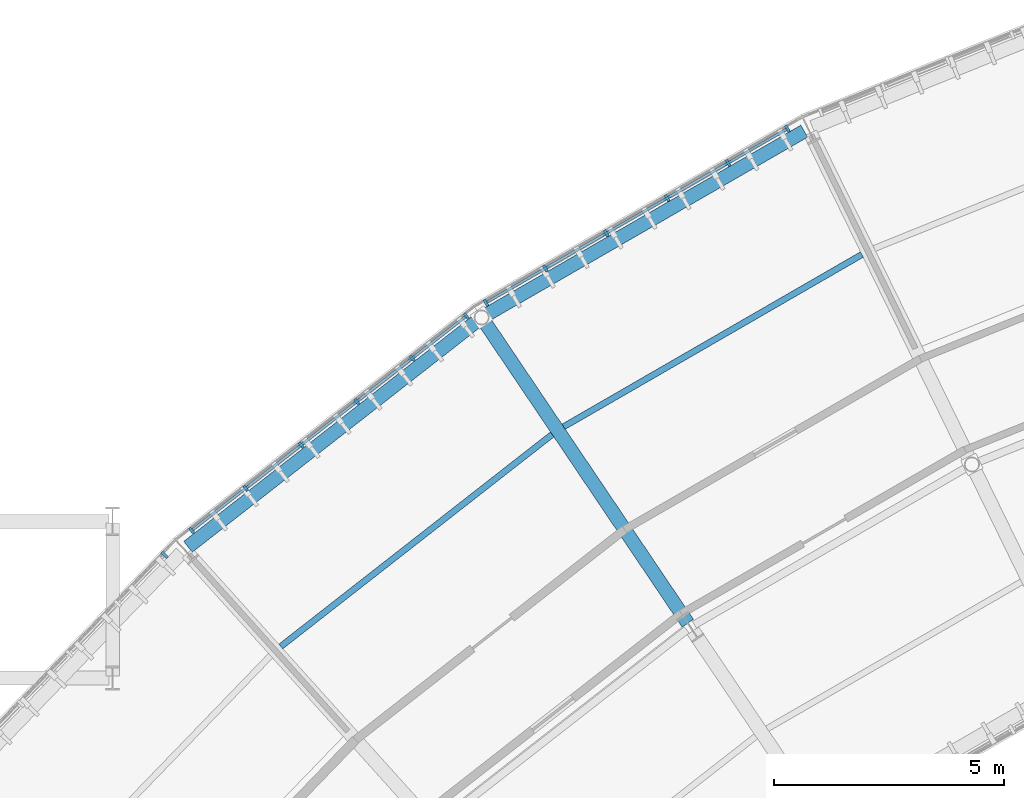
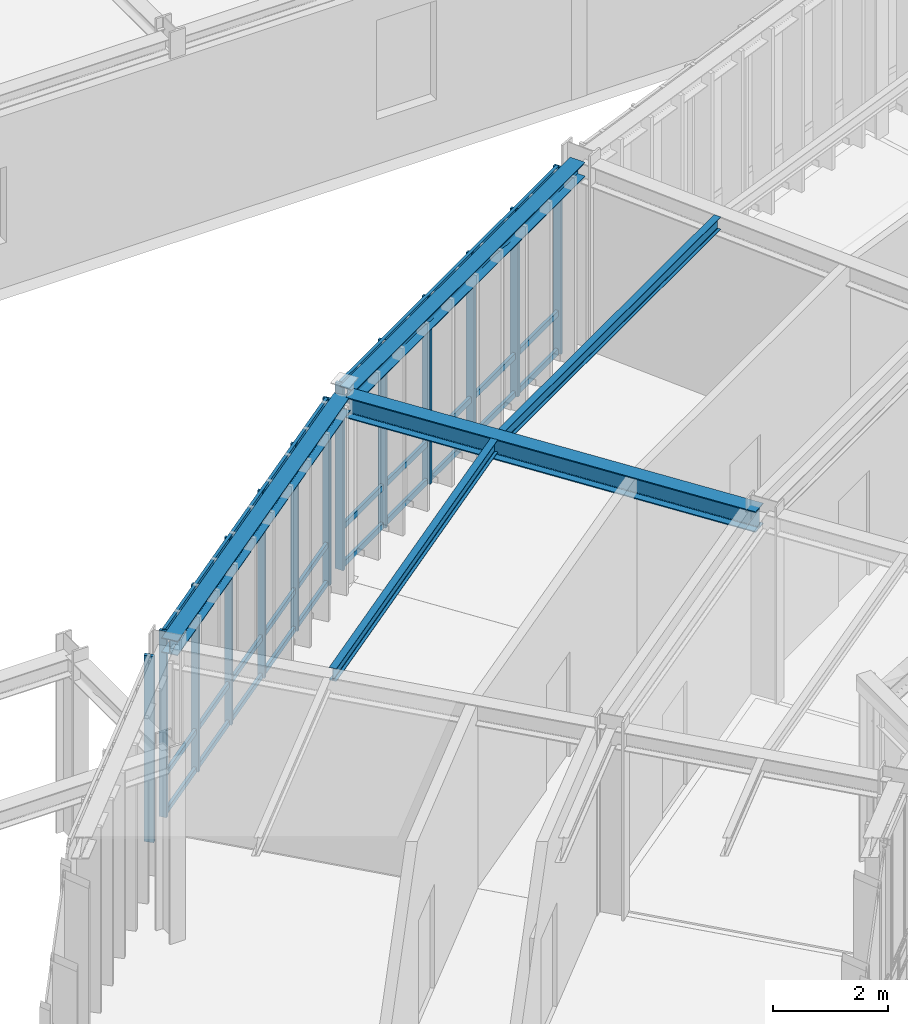
# One storey, part 85 of 148: 19 members, 5 beams, 3 elements without a shape of their own.
"""IFC4 building model written with IfcOpenShell, lengths in metres."""

import ifcopenshell
import ifcopenshell.guid

model = None  # the IFC model being written
_history = None  # IfcOwnerHistory: only IFC2X3 demands one
_inside = {}  # id of a spatial element -> (the spatial element, [elements in it])
_under = {}  # id of a project, library or spatial element -> (it, [spatial elements below it])
_declared = {}  # id of a project -> (the project, [libraries it declares])
_typed = {}  # id of a type object -> (the type object, [elements of that type])
_made_of = {}  # id of a material, layer set ... -> (it, [elements and type objects made of it])


def new_model(schema):
    """Start an empty IFC model of exactly this schema.

    Asked for "IFC4X3", IfcOpenShell would pick the latest addendum, in which some entities
    have other attributes; the version numbers below select the first issue.
    IFC2X3 requires an IfcOwnerHistory on every rooted entity: one is made here for all.
    """
    global model, _history
    if schema == "IFC4X3":
        model = ifcopenshell.file(schema_version=(4, 3, 0, 0))
    else:
        model = ifcopenshell.file(schema=schema)
    _inside.clear()
    _under.clear()
    _declared.clear()
    _typed.clear()
    _made_of.clear()
    _history = None
    if model.schema == "IFC2X3":
        org = make("IfcOrganization", Name="unknown")
        user = make(
            "IfcPersonAndOrganization",
            ThePerson=make("IfcPerson", FamilyName="unknown"),
            TheOrganization=org,
        )
        app = make(
            "IfcApplication",
            ApplicationDeveloper=org,
            Version="unknown",
            ApplicationFullName="unknown",
            ApplicationIdentifier="unknown",
        )
        _history = make(
            "IfcOwnerHistory",
            OwningUser=user,
            OwningApplication=app,
            ChangeAction="ADDED",
            CreationDate=0,
        )
    return model


def make(cls, **values):
    """One entity of the class cls with the attributes given. An attribute that is None is left unset."""
    return model.create_entity(
        cls, **{name: value for name, value in values.items() if value is not None}
    )


def rooted(cls, **values):
    """An entity with a GlobalId (a new one), such as an element, a storey or a relation."""
    return make(cls, GlobalId=ifcopenshell.guid.new(), OwnerHistory=_history, **values)


def si_unit(unit_type, name, prefix=None):
    """IfcSIUnit, for example si_unit("LENGTHUNIT", "METRE", prefix="MILLI")."""
    return make("IfcSIUnit", UnitType=unit_type, Prefix=prefix, Name=name)


def assignment(units):
    """IfcUnitAssignment: the units of a project."""
    return None if units is None else make("IfcUnitAssignment", Units=units)


def point(xyz):
    """IfcCartesianPoint."""
    return None if xyz is None else make("IfcCartesianPoint", Coordinates=xyz)


def direction(xyz):
    """IfcDirection."""
    return None if xyz is None else make("IfcDirection", DirectionRatios=xyz)


def frame(location, z_axis=None, x_axis=None):
    """IfcAxis2Placement3D, a coordinate frame: its origin and axes. An axis left out is left unset."""
    return make(
        "IfcAxis2Placement3D",
        Location=point(location),
        Axis=direction(z_axis),
        RefDirection=direction(x_axis),
    )


def frame_2d(location, x_axis=None):
    """IfcAxis2Placement2D, a coordinate frame in the plane: its origin and x axis."""
    return make(
        "IfcAxis2Placement2D", Location=point(location), RefDirection=direction(x_axis)
    )


def origin():
    """The frame at (0, 0, 0) with its axes left unset."""
    return frame((0.0, 0.0, 0.0))


def origin_2d():
    """The frame at (0, 0) in the plane with its x axis left unset."""
    return frame_2d((0.0, 0.0))


def place(relative_to, where):
    """IfcLocalPlacement: puts the frame where relative to a parent placement (None: the world)."""
    return make(
        "IfcLocalPlacement", PlacementRelTo=relative_to, RelativePlacement=where
    )


def context(
    kind, dimensions, precision=None, world=None, true_north=None, identifier=None
):
    """IfcGeometricRepresentationContext, for example the 3D "Model" context."""
    return make(
        "IfcGeometricRepresentationContext",
        ContextIdentifier=identifier,
        ContextType=kind,
        CoordinateSpaceDimension=dimensions,
        Precision=precision,
        WorldCoordinateSystem=world,
        TrueNorth=true_north,
    )


def subcontext(parent, identifier, kind, view, scale=None):
    """IfcGeometricRepresentationSubContext, for example "Body" below "Model"."""
    return make(
        "IfcGeometricRepresentationSubContext",
        ContextIdentifier=identifier,
        ContextType=kind,
        ParentContext=parent,
        TargetScale=scale,
        TargetView=view,
    )


def project(units=None, contexts=None):
    """IfcProject with its units and contexts."""
    return rooted(
        "IfcProject",
        Name="project",
        RepresentationContexts=contexts,
        UnitsInContext=assignment(units),
    )


def spatial(cls, under=None, at=None, **own):
    """A site, building, storey or space (cls), placed at a placement, below another one or the project."""
    s = rooted(cls, ObjectPlacement=at, **own)
    if under is not None:
        _under.setdefault(under.id(), (under, []))[1].append(s)
    return s


def profile(cls, at=None, kind="AREA", **sizes):
    """A parametric profile (cls). Its sizes go by their IFC names, for example OverallWidth=200.0."""
    return make(cls, ProfileType=kind, Position=at, **sizes)


def rectangle(**sizes):
    """IfcRectangleProfileDef."""
    return profile("IfcRectangleProfileDef", **sizes)


def i_section(**sizes):
    """IfcIShapeProfileDef."""
    return profile("IfcIShapeProfileDef", **sizes)


def extrude(swept, where, along, depth):
    """IfcExtrudedAreaSolid: the profile swept, set in the frame where, extruded along a direction by depth."""
    return make(
        "IfcExtrudedAreaSolid",
        SweptArea=swept,
        Position=where,
        ExtrudedDirection=direction(along),
        Depth=depth,
    )


def shape(context_of_items, identifier, shape_type, items):
    """IfcShapeRepresentation: the items that make up one representation, for example the "Body"."""
    return make(
        "IfcShapeRepresentation",
        ContextOfItems=context_of_items,
        RepresentationIdentifier=identifier,
        RepresentationType=shape_type,
        Items=items,
    )


def material(Name=None, Category=None):
    """IfcMaterial."""
    return make("IfcMaterial", Name=Name, Category=Category)


def layer(
    of_material, thickness, ventilated=None, Name=None, Category=None, Priority=None
):
    """IfcMaterialLayer: one layer of a wall or slab, of a material (None: an air gap)."""
    return make(
        "IfcMaterialLayer",
        Material=of_material,
        LayerThickness=thickness,
        IsVentilated=ventilated,
        Name=Name,
        Category=Category,
        Priority=Priority,
    )


def layer_set(layers, Name=None):
    """IfcMaterialLayerSet."""
    return make("IfcMaterialLayerSet", MaterialLayers=layers, LayerSetName=Name)


def material_profile(
    of_material, cross_section, Name=None, Category=None, Priority=None
):
    """IfcMaterialProfile: a cross section and its material."""
    return make(
        "IfcMaterialProfile",
        Name=Name,
        Material=of_material,
        Profile=cross_section,
        Priority=Priority,
        Category=Category,
    )


def profile_set(profiles, Name=None, composite=None):
    """IfcMaterialProfileSet."""
    return make(
        "IfcMaterialProfileSet",
        Name=Name,
        MaterialProfiles=profiles,
        CompositeProfile=composite,
    )


def made_of(thing, what):
    """Note that an element or type object is made of a material, layer set ...; save() writes the relation."""
    if what is not None:
        _made_of.setdefault(what.id(), (what, []))[1].append(thing)
    return thing


def type_object(cls, material=None, **own):
    """A type object (cls), such as IfcWallType, which elements share."""
    return made_of(rooted(cls, **own), material)


def element(
    cls,
    number,
    at=None,
    inside=None,
    cuts=None,
    type_object=None,
    material=None,
    context=None,
    identifier="Body",
    shape_type=None,
    held_by="IfcProductDefinitionShape",
    body=None,
    shapes=None,
    **own,
):
    """One element of the class cls, such as IfcWall. Its Tag is "e" and its number.

    at: its placement. inside: the storey or other place that contains it. cuts: it is an
    opening in that element (IfcRelVoidsElement). A single representation is given by context,
    identifier, shape_type and body (its items); several are given by shapes. held_by: the class
    of the entity that holds the representations. save() writes the other relations.
    """
    e = rooted(cls, Tag="e%d" % number, ObjectPlacement=at, **own)
    if body is not None:
        shapes = [shape(context, identifier, shape_type, body)]
    if shapes is not None:
        e.Representation = make(held_by, Representations=shapes)
    if inside is not None:
        _inside.setdefault(inside.id(), (inside, []))[1].append(e)
    if cuts is not None:
        rooted(
            "IfcRelVoidsElement", RelatingBuildingElement=cuts, RelatedOpeningElement=e
        )
    if type_object is not None:
        _typed.setdefault(type_object.id(), (type_object, []))[1].append(e)
    return made_of(e, material)


def aggregate(whole, parts):
    """IfcRelAggregates: a whole, such as a stair, and the parts it consists of."""
    return rooted("IfcRelAggregates", RelatingObject=whole, RelatedObjects=parts)


def save(model, path):
    """Write the relations noted so far, then the file.

    IfcRelAggregates (storeys below a building ...), IfcRelContainedInSpatialStructure (elements
    in a storey), IfcRelDefinesByType, IfcRelAssociatesMaterial and IfcRelDeclares: one each for
    every whole, place, type object, material and project.
    """
    for whole, parts in _under.values():
        aggregate(whole, parts)
    for where, things in _inside.values():
        rooted(
            "IfcRelContainedInSpatialStructure",
            RelatedElements=things,
            RelatingStructure=where,
        )
    for kind, things in _typed.values():
        rooted("IfcRelDefinesByType", RelatedObjects=things, RelatingType=kind)
    for what, things in _made_of.values():
        rooted("IfcRelAssociatesMaterial", RelatedObjects=things, RelatingMaterial=what)
    for by, libraries in _declared.values():
        rooted("IfcRelDeclares", RelatingContext=by, RelatedDefinitions=libraries)
    model.write(path)


model = new_model("IFC4")

# Units and contexts
model_context = context("Model", 3, precision=1e-05, world=origin(), true_north=direction((0.0, 1.0)))
body_context = subcontext(model_context, "Body", "Model", "MODEL_VIEW")
ifc_project = project(units=[si_unit("LENGTHUNIT", "METRE"), si_unit("AREAUNIT", "SQUARE_METRE"), si_unit("VOLUMEUNIT", "CUBIC_METRE"), si_unit("PLANEANGLEUNIT", "RADIAN"), si_unit("MASSUNIT", "GRAM", prefix="KILO"), si_unit("THERMODYNAMICTEMPERATUREUNIT", "KELVIN"), si_unit("POWERUNIT", "WATT")], contexts=[model_context])

# Site, building, storey
site_placement = place(None, origin())
site = spatial("IfcSite", under=ifc_project, at=site_placement, CompositionType="ELEMENT")
building_placement = place(site_placement, origin())
building = spatial("IfcBuilding", under=site, at=building_placement, Name="Solvatero Civic Police Headquarters", CompositionType="ELEMENT")
storey_placement = place(building_placement, frame((0.0, 0.0, 5.10009765625)))
storey = spatial("IfcBuildingStorey", under=building, at=storey_placement, Name="L01", CompositionType="ELEMENT", Elevation=5.10009765625)

# Beams
ifc_material_1 = material(Name="Steel S355", Category="steel")
ifc_material_profile_1 = material_profile(ifc_material_1, i_section(OverallWidth=0.300048828125, OverallDepth=0.31005859375, WebThickness=0.009033203125, FlangeThickness=0.015380859375, FilletRadius=0.027099609375, at=origin_2d()), Name="HEA 320")
ifc_profile_set_1 = profile_set([ifc_material_profile_1], Name="Steel S355")
beam_type_1 = type_object("IfcBeamType", Name="BM-ST-HEA320", PredefinedType="SPANDREL", material=ifc_profile_set_1)
for number, where, z_axis, x_axis, name in (
    (1, (68.202880859375, 78.664306640625, 3.824951171875), (-0.866028717572, -0.499994260308, 0.0), (0.499994260308, -0.866028717572, 0.0), "Perimeter / radial spandrel beam BM-R2-L01-ARC-COUT-B05"),
    (2, (61.12451171875, 74.5615234375, 3.824951171875), (-0.788008144593, -0.615664814696, 0.0), (0.615664814696, -0.788008144593, 0.0), "Perimeter / radial spandrel beam BM-R2-L01-ARC-COUT-B06"),
):
    element("IfcBeam", number, at=place(storey_placement, frame(where, z_axis=z_axis, x_axis=x_axis)), inside=storey, type_object=beam_type_1, Name=name, PredefinedType="SPANDREL", context=body_context, shape_type="SweptSolid", body=[
        extrude(i_section(OverallWidth=0.300048828125, OverallDepth=0.31005859375, WebThickness=0.009033203125, FlangeThickness=0.015380859375, FilletRadius=0.027099609375, at=origin_2d()), origin(), (0.0, 0.0, 1.0), 7.982421875),
    ])
ifc_material_profile_2 = material_profile(ifc_material_1, i_section(OverallWidth=0.300048828125, OverallDepth=0.43994140625, WebThickness=0.011474609375, FlangeThickness=0.02099609375, FilletRadius=0.027099609375, at=origin_2d()), Name="HEA 450")
ifc_profile_set_2 = profile_set([ifc_material_profile_2], Name="Steel S355")
beam_type_2 = type_object("IfcBeamType", Name="BM-ST-HEA450", PredefinedType="BEAM", material=ifc_profile_set_2)
beam_placement = place(storey_placement, frame((65.677001953125, 67.99072265625, 3.760009765625), z_axis=(-0.559192054274, 0.829038145345, 0.0), x_axis=(-0.829038145345, -0.559192054274, 0.0)))
element("IfcBeam", 3, at=beam_placement, inside=storey, type_object=beam_type_2, Name="Primary girder BM-R2-L01-ARC-RAD2-S05", PredefinedType="BEAM", context=body_context, shape_type="SweptSolid", body=[
    extrude(i_section(OverallWidth=0.300048828125, OverallDepth=0.43994140625, WebThickness=0.011474609375, FlangeThickness=0.02099609375, FilletRadius=0.027099609375, at=origin_2d()), origin(), (0.0, 0.0, 1.0), 7.900146484375),
])
ifc_material_profile_3 = material_profile(ifc_material_1, i_section(OverallWidth=0.135009765625, OverallDepth=0.27001953125, WebThickness=0.006591796875, FlangeThickness=0.01025390625, FilletRadius=0.014892578125, at=origin_2d()), Name="IPE 270")
ifc_profile_set_3 = profile_set([ifc_material_profile_3], Name="Steel S355")
beam_type_3 = type_object("IfcBeamType", Name="BM-ST-IPE270", PredefinedType="BEAM", material=ifc_profile_set_3)
for number, where, z_axis, x_axis, name in (
    (4, (69.452880859375, 75.98779296875, 3.844970703125), (-0.866030490612, -0.499991189252, 0.0), (0.499991189252, -0.866030490612, 0.0), "Composite floor beam BM-R2-L01-ARC-CS2-B05"),
    (5, (62.73486328125, 72.085205078125, 3.844970703125), (-0.78800951062, -0.615663066272, 0.0), (0.615663066272, -0.78800951062, 0.0), "Composite floor beam BM-R2-L01-ARC-CS2-B06"),
):
    element("IfcBeam", number, at=place(storey_placement, frame(where, z_axis=z_axis, x_axis=x_axis)), inside=storey, type_object=beam_type_3, Name=name, PredefinedType="BEAM", context=body_context, shape_type="SweptSolid", body=[
        extrude(i_section(OverallWidth=0.135009765625, OverallDepth=0.27001953125, WebThickness=0.006591796875, FlangeThickness=0.01025390625, FilletRadius=0.014892578125, at=origin_2d()), origin(), (0.0, 0.0, 1.0), 7.470947265625),
    ])

# Curtain wall, members
ifc_material_2 = material(Name="Anodized Bronze Aluminium", Category="aluminium")
ifc_layer = layer(ifc_material_2, 0.179931640625)
ifc_layer_set = layer_set([ifc_layer], Name="Anodized Bronze Aluminium")
curtain_wall_type = type_object("IfcCurtainWallType", Name="CW-ARC-OUT", PredefinedType="USERDEFINED", material=ifc_layer_set)
curtain_wall_1_placement = place(storey_placement, origin())
curtain_wall_1 = element("IfcCurtainWall", 6, at=curtain_wall_1_placement, inside=storey, type_object=curtain_wall_type, Name="Curtain Wall CW-R2-L01-ARC-OUT-B06", ObjectType="UNITISED", PredefinedType="USERDEFINED")
ifc_material_profile_4 = material_profile(ifc_material_2, rectangle(XDim=0.06005859375, YDim=0.139892578125, at=origin_2d()), Name="ALU MULLION 60x140")
ifc_profile_set_4 = profile_set([ifc_material_profile_4], Name="Anodized Bronze Aluminium")
member_type_1 = type_object("IfcMemberType", Name="CWM-160x65", PredefinedType="MULLION", material=ifc_profile_set_4)
member_1_placement = place(storey_placement, frame((60.871337890625, 74.65478515625, 0.0), z_axis=(0.0, 0.0, 1.0), x_axis=(-0.788010753607, -0.615661475326, 0.0)))
member_1 = element("IfcMember", 7, at=member_1_placement, type_object=member_type_1, Name="CW-R2-L01-ARC-OUT-B06 Mullion 1", PredefinedType="MULLION", context=body_context, shape_type="SweptSolid", body=[
    extrude(rectangle(XDim=0.06005859375, YDim=0.139892578125, at=origin_2d()), origin(), (0.0, 0.0, 1.0), 3.93994140625),
])
member_2_placement = place(storey_placement, frame((59.69873046875, 73.73876953125, 0.0), z_axis=(0.0, 0.0, 1.0), x_axis=(-0.788010753607, -0.615661475326, 0.0)))
member_2 = element("IfcMember", 8, at=member_2_placement, type_object=member_type_1, Name="CW-R2-L01-ARC-OUT-B06 Mullion 2", PredefinedType="MULLION", context=body_context, shape_type="SweptSolid", body=[
    extrude(rectangle(XDim=0.06005859375, YDim=0.139892578125, at=origin_2d()), origin(), (0.0, 0.0, 1.0), 3.93994140625),
])
member_3_placement = place(storey_placement, frame((58.49462890625, 72.7978515625, 0.0), z_axis=(0.0, 0.0, 1.0), x_axis=(-0.788010753607, -0.615661475326, 0.0)))
member_3 = element("IfcMember", 9, at=member_3_placement, type_object=member_type_1, Name="CW-R2-L01-ARC-OUT-B06 Mullion 3", PredefinedType="MULLION", context=body_context, shape_type="SweptSolid", body=[
    extrude(rectangle(XDim=0.06005859375, YDim=0.139892578125, at=origin_2d()), origin(), (0.0, 0.0, 1.0), 3.93994140625),
])
member_4_placement = place(storey_placement, frame((57.290283203125, 71.857177734375, 0.0), z_axis=(0.0, 0.0, 1.0), x_axis=(-0.788010753607, -0.615661475326, 0.0)))
member_4 = element("IfcMember", 10, at=member_4_placement, type_object=member_type_1, Name="CW-R2-L01-ARC-OUT-B06 Mullion 4", PredefinedType="MULLION", context=body_context, shape_type="SweptSolid", body=[
    extrude(rectangle(XDim=0.06005859375, YDim=0.139892578125, at=origin_2d()), origin(), (0.0, 0.0, 1.0), 3.93994140625),
])
member_5_placement = place(storey_placement, frame((56.086181640625, 70.91650390625, 0.0), z_axis=(0.0, 0.0, 1.0), x_axis=(-0.788010753607, -0.615661475326, 0.0)))
member_5 = element("IfcMember", 11, at=member_5_placement, type_object=member_type_1, Name="CW-R2-L01-ARC-OUT-B06 Mullion 5", PredefinedType="MULLION", context=body_context, shape_type="SweptSolid", body=[
    extrude(rectangle(XDim=0.06005859375, YDim=0.139892578125, at=origin_2d()), origin(), (0.0, 0.0, 1.0), 3.93994140625),
])
member_6_placement = place(storey_placement, frame((54.91357421875, 70.000244140625, 0.0), z_axis=(0.0, 0.0, 1.0), x_axis=(-0.788010753607, -0.615661475326, 0.0)))
member_6 = element("IfcMember", 12, at=member_6_placement, type_object=member_type_1, Name="CW-R2-L01-ARC-OUT-B06 Mullion 6", PredefinedType="MULLION", context=body_context, shape_type="SweptSolid", body=[
    extrude(rectangle(XDim=0.06005859375, YDim=0.139892578125, at=origin_2d()), origin(), (0.0, 0.0, 1.0), 3.93994140625),
])

curtain_wall_2_placement = place(storey_placement, origin())
curtain_wall_2 = element("IfcCurtainWall", 13, at=curtain_wall_2_placement, inside=storey, type_object=curtain_wall_type, Name="Curtain Wall CW-R2-L01-ARC-OUT-B05", ObjectType="UNITISED", PredefinedType="USERDEFINED")
ifc_material_profile_5 = material_profile(ifc_material_2, rectangle(XDim=0.06005859375, YDim=0.159912109375, at=origin_2d()), Name="ALU MULLION 60x160")
ifc_profile_set_5 = profile_set([ifc_material_profile_5], Name="Anodized Bronze Aluminium")
member_type_2 = type_object("IfcMemberType", Name="CWM-180x70", PredefinedType="MULLION", material=ifc_profile_set_5)
member_7_placement = place(storey_placement, frame((67.8369140625, 78.718017578125, 0.0), z_axis=(0.0, 0.0, 1.0), x_axis=(-0.866025403784, -0.5, 0.0)))
member_7 = element("IfcMember", 14, at=member_7_placement, type_object=member_type_2, Name="CW-R2-L01-ARC-OUT-B05 Mullion 1", PredefinedType="MULLION", context=body_context, shape_type="SweptSolid", body=[
    extrude(rectangle(XDim=0.06005859375, YDim=0.159912109375, at=origin_2d()), origin(), (0.0, 0.0, 1.0), 3.93994140625),
])
member_8_placement = place(storey_placement, frame((66.550048828125, 77.974853515625, 0.0), z_axis=(0.0, 0.0, 1.0), x_axis=(-0.866025403784, -0.5, 0.0)))
member_8 = element("IfcMember", 15, at=member_8_placement, type_object=member_type_2, Name="CW-R2-L01-ARC-OUT-B05 Mullion 2", PredefinedType="MULLION", context=body_context, shape_type="SweptSolid", body=[
    extrude(rectangle(XDim=0.06005859375, YDim=0.159912109375, at=origin_2d()), origin(), (0.0, 0.0, 1.0), 3.93994140625),
])
member_9_placement = place(storey_placement, frame((65.228515625, 77.2119140625, 0.0), z_axis=(0.0, 0.0, 1.0), x_axis=(-0.866025403784, -0.5, 0.0)))
member_9 = element("IfcMember", 16, at=member_9_placement, type_object=member_type_2, Name="CW-R2-L01-ARC-OUT-B05 Mullion 3", PredefinedType="MULLION", context=body_context, shape_type="SweptSolid", body=[
    extrude(rectangle(XDim=0.06005859375, YDim=0.159912109375, at=origin_2d()), origin(), (0.0, 0.0, 1.0), 3.93994140625),
])
member_10_placement = place(storey_placement, frame((63.90673828125, 76.44873046875, 0.0), z_axis=(0.0, 0.0, 1.0), x_axis=(-0.866025403784, -0.5, 0.0)))
member_10 = element("IfcMember", 17, at=member_10_placement, type_object=member_type_2, Name="CW-R2-L01-ARC-OUT-B05 Mullion 4", PredefinedType="MULLION", context=body_context, shape_type="SweptSolid", body=[
    extrude(rectangle(XDim=0.06005859375, YDim=0.159912109375, at=origin_2d()), origin(), (0.0, 0.0, 1.0), 3.93994140625),
])
member_11_placement = place(storey_placement, frame((62.585205078125, 75.685791015625, 0.0), z_axis=(0.0, 0.0, 1.0), x_axis=(-0.866025403784, -0.5, 0.0)))
member_11 = element("IfcMember", 18, at=member_11_placement, type_object=member_type_2, Name="CW-R2-L01-ARC-OUT-B05 Mullion 5", PredefinedType="MULLION", context=body_context, shape_type="SweptSolid", body=[
    extrude(rectangle(XDim=0.06005859375, YDim=0.159912109375, at=origin_2d()), origin(), (0.0, 0.0, 1.0), 3.93994140625),
])
member_12_placement = place(storey_placement, frame((61.298095703125, 74.942626953125, 0.0), z_axis=(0.0, 0.0, 1.0), x_axis=(-0.866025403784, -0.5, 0.0)))
member_12 = element("IfcMember", 19, at=member_12_placement, type_object=member_type_2, Name="CW-R2-L01-ARC-OUT-B05 Mullion 6", PredefinedType="MULLION", context=body_context, shape_type="SweptSolid", body=[
    extrude(rectangle(XDim=0.06005859375, YDim=0.159912109375, at=origin_2d()), origin(), (0.0, 0.0, 1.0), 3.93994140625),
])

# Curtain wall, member
curtain_wall_3_placement = place(storey_placement, origin())
curtain_wall_3 = element("IfcCurtainWall", 20, at=curtain_wall_3_placement, inside=storey, type_object=curtain_wall_type, Name="Curtain Wall CW-R2-L01-ARC-OUT-B07", ObjectType="UNITISED", PredefinedType="USERDEFINED")
ifc_material_profile_6 = material_profile(ifc_material_2, rectangle(XDim=0.06494140625, YDim=0.179931640625, at=origin_2d()), Name="ALU MULLION 65x180")
ifc_profile_set_6 = profile_set([ifc_material_profile_6], Name="Anodized Bronze Aluminium")
member_type_3 = type_object("IfcMemberType", Name="CWM-200x75", PredefinedType="MULLION", material=ifc_profile_set_6)
member_13_placement = place(storey_placement, frame((54.326416015625, 69.471435546875, 0.0), z_axis=(0.0, 0.0, 1.0), x_axis=(-0.694645815505, -0.719351924305, 0.0)))
member_13 = element("IfcMember", 21, at=member_13_placement, type_object=member_type_3, Name="CW-R2-L01-ARC-OUT-B07 Mullion 1", PredefinedType="MULLION", context=body_context, shape_type="SweptSolid", body=[
    extrude(rectangle(XDim=0.06494140625, YDim=0.179931640625, at=origin_2d()), origin(), (0.0, 0.0, 1.0), 3.93994140625),
])
aggregate(curtain_wall_3, [member_13])

# Member
ifc_material_profile_7 = material_profile(ifc_material_2, rectangle(XDim=0.06005859375, YDim=0.110107421875, at=origin_2d()), Name="ALU TRANSOM 60x110")
ifc_profile_set_7 = profile_set([ifc_material_profile_7], Name="Anodized Bronze Aluminium")
member_type_4 = type_object("IfcMemberType", Name="CWT-140x60", PredefinedType="USERDEFINED", material=ifc_profile_set_7)
member_14_placement = place(storey_placement, frame((60.863525390625, 74.648681640625, 0.039794921875), z_axis=(-0.788021919434, -0.615647183452, 0.0), x_axis=(0.615647183452, -0.788021919434, 0.0)))
member_14 = element("IfcMember", 22, at=member_14_placement, type_object=member_type_4, Name="CW-R2-L01-ARC-OUT-B06 Transom 1", ObjectType="TRANSOM", PredefinedType="USERDEFINED", context=body_context, shape_type="SweptSolid", body=[
    extrude(rectangle(XDim=0.06005859375, YDim=0.110107421875, at=origin_2d()), origin(), (0.0, 0.0, 1.0), 7.54052734375),
])

member_15_placement = place(storey_placement, frame((60.863525390625, 74.648681640625, 0.849853515625), z_axis=(-0.788021919434, -0.615647183452, 0.0), x_axis=(0.615647183452, -0.788021919434, 0.0)))
member_15 = element("IfcMember", 23, at=member_15_placement, type_object=member_type_4, Name="CW-R2-L01-ARC-OUT-B06 Transom 2", ObjectType="TRANSOM", PredefinedType="USERDEFINED", context=body_context, shape_type="SweptSolid", body=[
    extrude(rectangle(XDim=0.06005859375, YDim=0.110107421875, at=origin_2d()), origin(), (0.0, 0.0, 1.0), 7.54052734375),
])

member_16_placement = place(storey_placement, frame((60.863525390625, 74.648681640625, 3.89990234375), z_axis=(-0.788021919434, -0.615647183452, 0.0), x_axis=(0.615647183452, -0.788021919434, 0.0)))
member_16 = element("IfcMember", 24, at=member_16_placement, type_object=member_type_4, Name="CW-R2-L01-ARC-OUT-B06 Transom 3", ObjectType="TRANSOM", PredefinedType="USERDEFINED", context=body_context, shape_type="SweptSolid", body=[
    extrude(rectangle(XDim=0.06005859375, YDim=0.110107421875, at=origin_2d()), origin(), (0.0, 0.0, 1.0), 7.54052734375),
])

aggregate(curtain_wall_1, [member_1, member_2, member_3, member_4, member_5, member_6, member_14, member_15, member_16])

ifc_material_profile_8 = material_profile(ifc_material_2, rectangle(XDim=0.06005859375, YDim=0.125, at=origin_2d()), Name="ALU TRANSOM 60x125")
ifc_profile_set_8 = profile_set([ifc_material_profile_8], Name="Anodized Bronze Aluminium")
member_type_5 = type_object("IfcMemberType", Name="CWT-160x65", PredefinedType="USERDEFINED", material=ifc_profile_set_8)
member_17_placement = place(storey_placement, frame((67.828369140625, 78.712890625, 0.039794921875), z_axis=(-0.866027936218, -0.49999561367, 0.0), x_axis=(0.49999561367, -0.866027936218, 0.0)))
member_17 = element("IfcMember", 25, at=member_17_placement, type_object=member_type_5, Name="CW-R2-L01-ARC-OUT-B05 Transom 1", ObjectType="TRANSOM", PredefinedType="USERDEFINED", context=body_context, shape_type="SweptSolid", body=[
    extrude(rectangle(XDim=0.06005859375, YDim=0.125, at=origin_2d()), origin(), (0.0, 0.0, 1.0), 7.5302734375),
])

member_18_placement = place(storey_placement, frame((67.828369140625, 78.712890625, 0.849853515625), z_axis=(-0.866027936218, -0.49999561367, 0.0), x_axis=(0.49999561367, -0.866027936218, 0.0)))
member_18 = element("IfcMember", 26, at=member_18_placement, type_object=member_type_5, Name="CW-R2-L01-ARC-OUT-B05 Transom 2", ObjectType="TRANSOM", PredefinedType="USERDEFINED", context=body_context, shape_type="SweptSolid", body=[
    extrude(rectangle(XDim=0.06005859375, YDim=0.125, at=origin_2d()), origin(), (0.0, 0.0, 1.0), 7.5302734375),
])

member_19_placement = place(storey_placement, frame((67.828369140625, 78.712890625, 3.89990234375), z_axis=(-0.866027936218, -0.49999561367, 0.0), x_axis=(0.49999561367, -0.866027936218, 0.0)))
member_19 = element("IfcMember", 27, at=member_19_placement, type_object=member_type_5, Name="CW-R2-L01-ARC-OUT-B05 Transom 3", ObjectType="TRANSOM", PredefinedType="USERDEFINED", context=body_context, shape_type="SweptSolid", body=[
    extrude(rectangle(XDim=0.06005859375, YDim=0.125, at=origin_2d()), origin(), (0.0, 0.0, 1.0), 7.5302734375),
])

aggregate(curtain_wall_2, [member_7, member_8, member_9, member_10, member_11, member_12, member_17, member_18, member_19])

save(model, "model.ifc")
